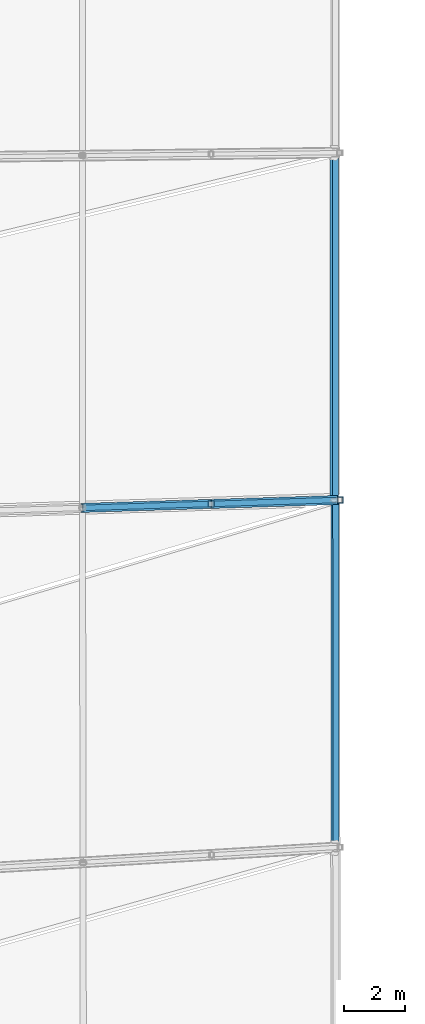
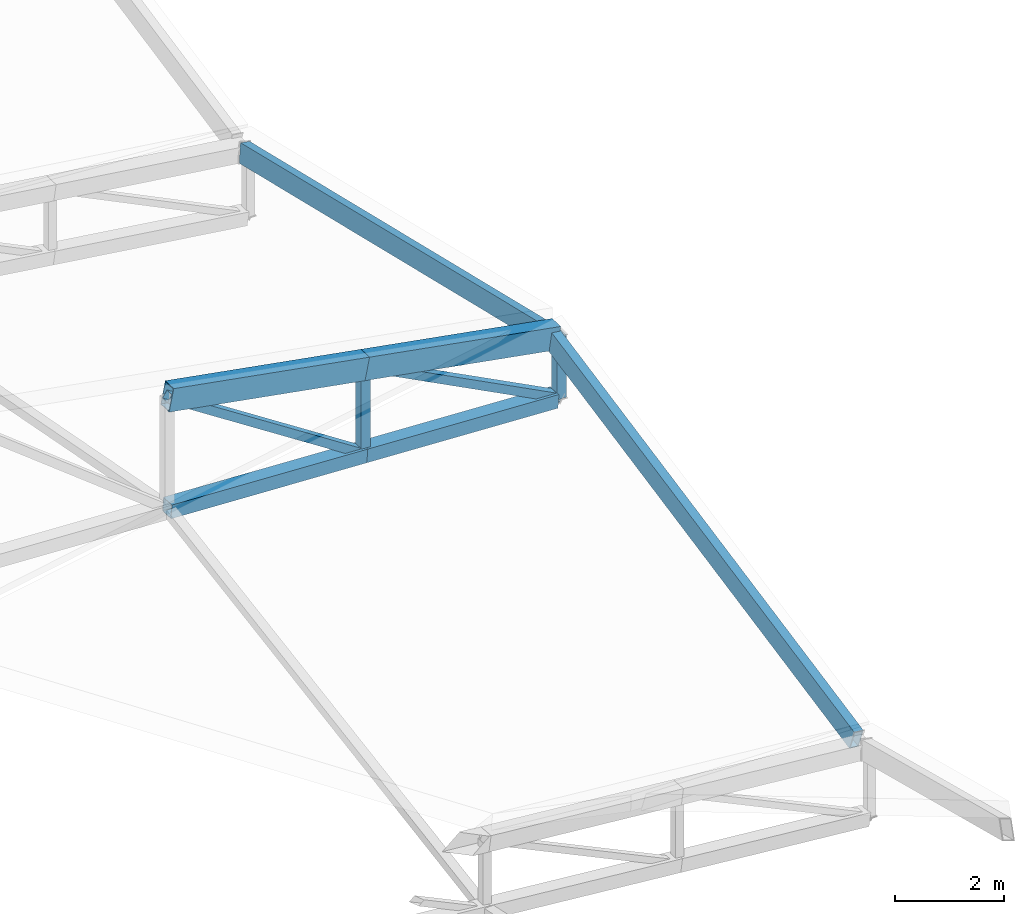
# One storey, part 57 of 344: 8 members, 2 beams.
"""IFC4 building model written with IfcOpenShell, lengths in metres."""

from ifc_helpers import new_model, si_unit, direction, frame, origin, origin_2d, place, context, subcontext, project, spatial, hollow_rectangle, extrude, material, material_profile, profile_set, type_object, element, save


model = new_model("IFC4")

# Units and contexts
model_context = context("Model", 3, precision=1e-05, world=origin(), true_north=direction((0.0, 1.0)))
body_context = subcontext(model_context, "Body", "Model", "MODEL_VIEW")
ifc_project = project(units=[si_unit("LENGTHUNIT", "METRE"), si_unit("AREAUNIT", "SQUARE_METRE"), si_unit("VOLUMEUNIT", "CUBIC_METRE"), si_unit("PLANEANGLEUNIT", "RADIAN"), si_unit("MASSUNIT", "GRAM", prefix="KILO")], contexts=[model_context])

# Site, building, storey
site_placement = place(None, origin())
site = spatial("IfcSite", under=ifc_project, at=site_placement, CompositionType="ELEMENT")
building_placement = place(site_placement, origin())
building = spatial("IfcBuilding", under=site, at=building_placement, Name="Meseta Stadium", CompositionType="ELEMENT")
storey_placement = place(building_placement, frame((0.0, 0.0, 24.0)))
storey = spatial("IfcBuildingStorey", under=building, at=storey_placement, Name="L04", CompositionType="ELEMENT", Elevation=24.0)

# Beams
ifc_material_1 = material(Name="Steel S355", Category="steel")
ifc_material_profile_1 = material_profile(ifc_material_1, hollow_rectangle(XDim=0.199951171875, YDim=0.39990234375, WallThickness=0.01611328125, at=origin_2d()), Name="RHS 400x200x16")
ifc_profile_set_1 = profile_set([ifc_material_profile_1], Name="Steel S355")
beam_type = type_object("IfcBeamType", Name="RHS 400x200x16 tip ring beam", PredefinedType="BEAM", material=ifc_profile_set_1)
beam_1_placement = place(storey_placement, frame((-47.19091796875, -5.887939453125, 2.8515625), z_axis=(0.00025514616, -0.972595899446, 0.23250193823), x_axis=(0.982554619398, -0.042995509623, -0.180935916974)))
element("IfcBeam", 1, at=beam_1_placement, inside=storey, type_object=beam_type, Name="TIP RING BEAM 34", PredefinedType="BEAM", context=body_context, shape_type="SweptSolid", body=[
    extrude(hollow_rectangle(XDim=0.199951171875, YDim=0.39990234375, WallThickness=0.01611328125, at=origin_2d()), origin(), (0.0, 0.0, 1.0), 11.482421875),
])
beam_2_placement = place(storey_placement, frame((-47.167236328125, -17.10546875, 5.514404296875), z_axis=(0.000493224413, -0.980487244418, -0.196582095481), x_axis=(0.989677772138, 0.028650732365, -0.140417388067)))
element("IfcBeam", 2, at=beam_2_placement, inside=storey, type_object=beam_type, Name="TIP RING BEAM 35", PredefinedType="BEAM", context=body_context, shape_type="SweptSolid", body=[
    extrude(hollow_rectangle(XDim=0.199951171875, YDim=0.39990234375, WallThickness=0.01611328125, at=origin_2d()), origin(), (0.0, 0.0, 1.0), 11.384765625),
])

# Members
ifc_material_2 = material(Name="Steel S355", Category="steel")
ifc_material_profile_2 = material_profile(ifc_material_2, hollow_rectangle(XDim=0.300048828125, YDim=0.5, WallThickness=0.01611328125, at=origin_2d()), Name="RHS 500x300x16")
ifc_profile_set_2 = profile_set([ifc_material_profile_2], Name="Steel S355")
member_type_1 = type_object("IfcMemberType", Name="RHS 500x300x16 top chord", PredefinedType="CHORD", material=ifc_profile_set_2)
member_1_placement = place(storey_placement, frame((-47.0947265625, -17.0751953125, 5.5322265625), z_axis=(-0.97975126081, -0.030230998335, 0.197923100422), x_axis=(0.030841111057, -0.999524299789, 0.0)))
element("IfcMember", 3, at=member_1_placement, inside=storey, type_object=member_type_1, Name="ROOF TRUSS RT-34 top chord", PredefinedType="CHORD", context=body_context, shape_type="SweptSolid", body=[
    extrude(hollow_rectangle(XDim=0.300048828125, YDim=0.5, WallThickness=0.01611328125, at=origin_2d()), origin(), (0.0, 0.0, 1.0), 4.20751953125),
])
member_2_placement = place(storey_placement, frame((-51.217041015625, -17.202392578125, 6.364990234375), z_axis=(-0.979762958597, -0.030210208084, 0.197868361012), x_axis=(0.030819553754, -0.999524964724, 0.0)))
element("IfcMember", 4, at=member_2_placement, inside=storey, type_object=member_type_1, Name="ROOF TRUSS RT-34 top chord", PredefinedType="CHORD", context=body_context, shape_type="SweptSolid", body=[
    extrude(hollow_rectangle(XDim=0.300048828125, YDim=0.5, WallThickness=0.01611328125, at=origin_2d()), origin(), (0.0, 0.0, 1.0), 4.307373046875),
])
ifc_material_3 = material(Name="Steel S355", Category="steel")
ifc_material_profile_3 = material_profile(ifc_material_3, hollow_rectangle(XDim=0.179931640625, YDim=0.179931640625, WallThickness=0.00634765625, at=origin_2d()), Name="SHS 180x180x6.3")
ifc_profile_set_3 = profile_set([ifc_material_profile_3], Name="Steel S355")
member_type_2 = type_object("IfcMemberType", Name="SHS 180x180x6.3 diagonal", PredefinedType="BRACE", material=ifc_profile_set_3)
member_3_placement = place(storey_placement, frame((-46.996826171875, -17.072265625, 4.112548828125), z_axis=(-0.881882579554, -0.027192144794, 0.470684292431), x_axis=(0.030819553754, -0.999524964724, 0.0)))
element("IfcMember", 5, at=member_3_placement, inside=storey, type_object=member_type_2, Name="ROOF TRUSS RT-34 diagonal", PredefinedType="BRACE", context=body_context, shape_type="SweptSolid", body=[
    extrude(hollow_rectangle(XDim=0.179931640625, YDim=0.179931640625, WallThickness=0.00634765625, at=origin_2d()), origin(), (0.0, 0.0, 1.0), 4.785400390625),
])
member_4_placement = place(storey_placement, frame((-51.217041015625, -17.202392578125, 4.416748046875), z_axis=(-0.832952660752, -0.025683429838, 0.552747886815), x_axis=(0.030819553754, -0.999524964724, 0.0)))
element("IfcMember", 6, at=member_4_placement, inside=storey, type_object=member_type_2, Name="ROOF TRUSS RT-34 diagonal", PredefinedType="BRACE", context=body_context, shape_type="SweptSolid", body=[
    extrude(hollow_rectangle(XDim=0.179931640625, YDim=0.179931640625, WallThickness=0.00634765625, at=origin_2d()), origin(), (0.0, 0.0, 1.0), 5.066650390625),
])
ifc_material_4 = material(Name="Steel S355", Category="steel")
ifc_material_profile_4 = material_profile(ifc_material_4, hollow_rectangle(XDim=0.199951171875, YDim=0.199951171875, WallThickness=0.008056640625, at=origin_2d()), Name="SHS 200x200x8")
ifc_profile_set_4 = profile_set([ifc_material_profile_4], Name="Steel S355")
member_type_3 = type_object("IfcMemberType", Name="SHS 200x200x8 post", PredefinedType="POST", material=ifc_profile_set_4)
member_5_placement = place(storey_placement, frame((-51.217041015625, -17.202392578125, 4.416748046875), z_axis=(0.0, 0.0, 1.0), x_axis=(1.0, 0.0, 0.0)))
element("IfcMember", 7, at=member_5_placement, inside=storey, type_object=member_type_3, Name="ROOF TRUSS RT-34 post", PredefinedType="POST", context=body_context, shape_type="SweptSolid", body=[
    extrude(hollow_rectangle(XDim=0.199951171875, YDim=0.199951171875, WallThickness=0.008056640625, at=origin_2d()), origin(), (0.0, 0.0, 1.0), 1.9482421875),
])
ifc_material_5 = material(Name="Steel S355", Category="steel")
ifc_material_profile_5 = material_profile(ifc_material_5, hollow_rectangle(XDim=0.199951171875, YDim=0.199951171875, WallThickness=0.008056640625, at=origin_2d()), Name="SHS 200x200x8")
ifc_profile_set_5 = profile_set([ifc_material_profile_5], Name="Steel S355")
member_type_4 = type_object("IfcMemberType", Name="SHS 200x200x8 rim post", PredefinedType="POST", material=ifc_profile_set_5)
member_6_placement = place(storey_placement, frame((-46.996826171875, -17.072265625, 4.112548828125), z_axis=(0.0, 0.0, 1.0), x_axis=(1.0, 0.0, 0.0)))
element("IfcMember", 8, at=member_6_placement, inside=storey, type_object=member_type_4, Name="ROOF TRUSS RT-34 post", PredefinedType="POST", context=body_context, shape_type="SweptSolid", body=[
    extrude(hollow_rectangle(XDim=0.199951171875, YDim=0.199951171875, WallThickness=0.008056640625, at=origin_2d()), origin(), (0.0, 0.0, 1.0), 1.39990234375),
])
ifc_material_6 = material(Name="Steel S355", Category="steel")
ifc_material_profile_6 = material_profile(ifc_material_6, hollow_rectangle(XDim=0.300048828125, YDim=0.300048828125, WallThickness=0.010009765625, at=origin_2d()), Name="SHS 300x300x10")
ifc_profile_set_6 = profile_set([ifc_material_profile_6], Name="Steel S355")
member_type_5 = type_object("IfcMemberType", Name="SHS 300x300x10 bottom chord", PredefinedType="CHORD", material=ifc_profile_set_6)
member_7_placement = place(storey_placement, frame((-47.096435546875, -17.075439453125, 4.11962890625), z_axis=(-0.996939880421, -0.030715057342, 0.071885047664), x_axis=(0.030794725654, -0.99952572997, 0.0)))
element("IfcMember", 9, at=member_7_placement, inside=storey, type_object=member_type_5, Name="ROOF TRUSS RT-34 bottom chord", PredefinedType="CHORD", context=body_context, shape_type="SweptSolid", body=[
    extrude(hollow_rectangle(XDim=0.300048828125, YDim=0.300048828125, WallThickness=0.010009765625, at=origin_2d()), origin(), (0.0, 0.0, 1.0), 4.13330078125),
])
member_8_placement = place(storey_placement, frame((-51.217041015625, -17.202392578125, 4.416748046875), z_axis=(-0.996940853121, -0.030739874738, 0.071860945446), x_axis=(0.030819553754, -0.999524964724, 0.0)))
element("IfcMember", 10, at=member_8_placement, inside=storey, type_object=member_type_5, Name="ROOF TRUSS RT-34 bottom chord", PredefinedType="CHORD", context=body_context, shape_type="SweptSolid", body=[
    extrude(hollow_rectangle(XDim=0.300048828125, YDim=0.300048828125, WallThickness=0.010009765625, at=origin_2d()), origin(), (0.0, 0.0, 1.0), 4.233154296875),
])

save(model, "model.ifc")
